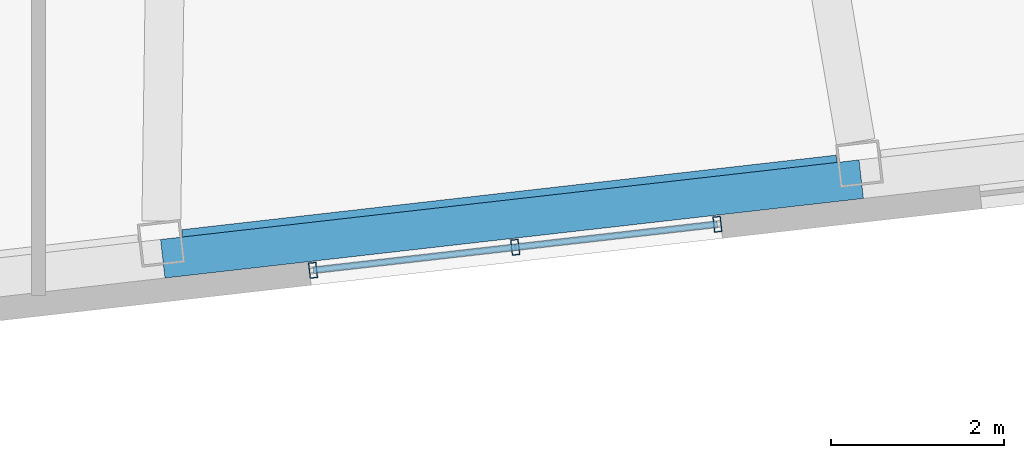
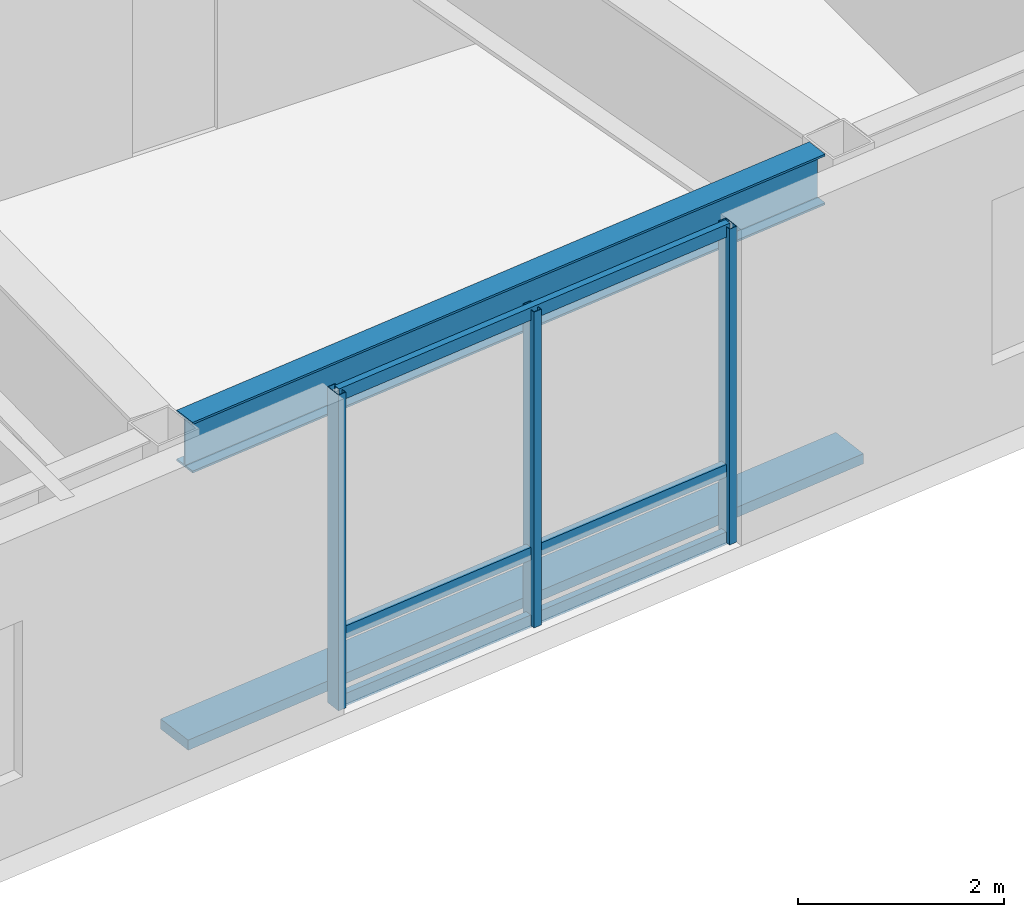
# One storey, part 5 of 18: 7 members, 1 beam, 1 element without a shape of its own.
"""IFC4 building model written with IfcOpenShell, lengths in metres."""

from ifc_helpers import new_model, si_unit, direction, frame, origin, origin_2d, place, context, subcontext, project, spatial, rectangle, hollow_rectangle, i_section, extrude, material, layer, layer_set, material_profile, profile_set, type_object, element, aggregate, save


model = new_model("IFC4")

# Units and contexts
model_context = context("Model", 3, precision=1e-05, world=origin(), true_north=direction((0.0, 1.0)))
body_context = subcontext(model_context, "Body", "Model", "MODEL_VIEW")
ifc_project = project(units=[si_unit("LENGTHUNIT", "METRE"), si_unit("AREAUNIT", "SQUARE_METRE"), si_unit("VOLUMEUNIT", "CUBIC_METRE"), si_unit("PLANEANGLEUNIT", "RADIAN"), si_unit("MASSUNIT", "GRAM", prefix="KILO")], contexts=[model_context])

# Site, building, storey
site_placement = place(None, origin())
site = spatial("IfcSite", under=ifc_project, at=site_placement, CompositionType="ELEMENT")
building_placement = place(site_placement, origin())
building = spatial("IfcBuilding", under=site, at=building_placement, Name="Tavrogorsk Clinical Tower", CompositionType="ELEMENT")
storey_placement = place(building_placement, frame((0.0, 0.0, 222.199951171875)))
storey = spatial("IfcBuildingStorey", under=building, at=storey_placement, Name="L51", CompositionType="ELEMENT", Elevation=222.199951171875)

# Member
ifc_material_1 = material(Name="Anodised aluminium alloy AW-6063", Category="aluminium")
ifc_material_profile_1 = material_profile(ifc_material_1, rectangle(XDim=0.449951171875, YDim=0.1201171875, at=origin_2d()), Name="ALU-SUNSHADE-450x120")
ifc_profile_set_1 = profile_set([ifc_material_profile_1], Name="Anodised aluminium alloy AW-6063")
member_type_1 = type_object("IfcMemberType", Name="ChicagoSunshade_450x120", PredefinedType="USERDEFINED", material=ifc_profile_set_1)
member_1_placement = place(storey_placement, frame((4.240478515625, -19.29150390625, 0.179931640625), z_axis=(0.9935729766, 0.113193375116, 0.0), x_axis=(-0.113193375116, 0.9935729766, 0.0)))
element("IfcMember", 1, at=member_1_placement, inside=storey, type_object=member_type_1, Name="L51 South Aluminium Sunshade S5", ObjectType="SUNSHADE", PredefinedType="USERDEFINED", context=body_context, shape_type="SweptSolid", body=[
    extrude(rectangle(XDim=0.449951171875, YDim=0.1201171875, at=origin_2d()), origin(), (0.0, 0.0, 1.0), 8.148681640625),
])

# Curtain wall, members
ifc_material_2 = material(Name="Anodised aluminium and triple IGU glazing", Category="aluminium")
ifc_layer = layer(ifc_material_2, 0.179931640625)
ifc_layer_set = layer_set([ifc_layer], Name="Anodised aluminium and triple IGU glazing")
curtain_wall_type = type_object("IfcCurtainWallType", Name="CW3_SouthSlot", PredefinedType="NOTDEFINED", material=ifc_layer_set)
curtain_wall_placement = place(storey_placement, origin())
curtain_wall = element("IfcCurtainWall", 2, at=curtain_wall_placement, inside=storey, type_object=curtain_wall_type, Name="L51 Curtain Wall CW-L51-S-SLOT-2", PredefinedType="NOTDEFINED")
ifc_material_3 = material(Name="Anodised aluminium alloy AW-6060", Category="aluminium")
ifc_material_profile_2 = material_profile(ifc_material_3, hollow_rectangle(XDim=0.090087890625, YDim=0.179931640625, WallThickness=0.00634765625, at=origin_2d()), Name="RHS-180x90x6.3")
ifc_profile_set_2 = profile_set([ifc_material_profile_2], Name="Anodised aluminium alloy AW-6060")
member_type_2 = type_object("IfcMemberType", Name="CwMullion_180x90", PredefinedType="MULLION", material=ifc_profile_set_2)
member_2_placement = place(storey_placement, frame((5.982177734375, -19.42529296875, 0.0), z_axis=(0.0, 0.0, 1.0), x_axis=(0.993571855603, 0.11320321441, 0.0)))
member_2 = element("IfcMember", 3, at=member_2_placement, type_object=member_type_2, Name="CW-L51-S-SLOT-2 Mullion 1", PredefinedType="MULLION", context=body_context, shape_type="SweptSolid", body=[
    extrude(hollow_rectangle(XDim=0.090087890625, YDim=0.179931640625, WallThickness=0.00634765625, at=origin_2d()), origin(), (0.0, 0.0, 1.0), 3.739990234375),
])
member_3_placement = place(storey_placement, frame((8.325927734375, -19.158203125, 0.0), z_axis=(0.0, 0.0, 1.0), x_axis=(0.993571855603, 0.11320321441, 0.0)))
member_3 = element("IfcMember", 4, at=member_3_placement, type_object=member_type_2, Name="CW-L51-S-SLOT-2 Mullion 2", PredefinedType="MULLION", context=body_context, shape_type="SweptSolid", body=[
    extrude(hollow_rectangle(XDim=0.090087890625, YDim=0.179931640625, WallThickness=0.00634765625, at=origin_2d()), origin(), (0.0, 0.0, 1.0), 3.739990234375),
])
member_4_placement = place(storey_placement, frame((10.669677734375, -18.89111328125, 0.0), z_axis=(0.0, 0.0, 1.0), x_axis=(0.993571855603, 0.11320321441, 0.0)))
member_4 = element("IfcMember", 5, at=member_4_placement, type_object=member_type_2, Name="CW-L51-S-SLOT-2 Mullion 3", PredefinedType="MULLION", context=body_context, shape_type="SweptSolid", body=[
    extrude(hollow_rectangle(XDim=0.090087890625, YDim=0.179931640625, WallThickness=0.00634765625, at=origin_2d()), origin(), (0.0, 0.0, 1.0), 3.739990234375),
])
ifc_material_4 = material(Name="Anodised aluminium alloy AW-6060", Category="aluminium")
ifc_material_profile_3 = material_profile(ifc_material_4, hollow_rectangle(XDim=0.074951171875, YDim=0.14990234375, WallThickness=0.0048828125, at=origin_2d()), Name="RHS-150x75x5")
ifc_profile_set_3 = profile_set([ifc_material_profile_3], Name="Anodised aluminium alloy AW-6060")
member_type_3 = type_object("IfcMemberType", Name="CwTransom_150x75", PredefinedType="USERDEFINED", material=ifc_profile_set_3)
member_5_placement = place(storey_placement, frame((5.982177734375, -19.42529296875, 0.050048828125), z_axis=(0.993569315854, 0.113225503286, 0.0), x_axis=(-0.113225503286, 0.993569315854, 0.0)))
member_5 = element("IfcMember", 6, at=member_5_placement, type_object=member_type_3, Name="CW-L51-S-SLOT-2 Transom 1", ObjectType="TRANSOM", PredefinedType="USERDEFINED", context=body_context, shape_type="SweptSolid", body=[
    extrude(hollow_rectangle(XDim=0.074951171875, YDim=0.14990234375, WallThickness=0.0048828125, at=origin_2d()), origin(), (0.0, 0.0, 1.0), 4.7177734375),
])
member_6_placement = place(storey_placement, frame((5.982177734375, -19.42529296875, 0.85009765625), z_axis=(0.993569315854, 0.113225503286, 0.0), x_axis=(-0.113225503286, 0.993569315854, 0.0)))
member_6 = element("IfcMember", 7, at=member_6_placement, type_object=member_type_3, Name="CW-L51-S-SLOT-2 Transom 2", ObjectType="TRANSOM", PredefinedType="USERDEFINED", context=body_context, shape_type="SweptSolid", body=[
    extrude(hollow_rectangle(XDim=0.074951171875, YDim=0.14990234375, WallThickness=0.0048828125, at=origin_2d()), origin(), (0.0, 0.0, 1.0), 4.7177734375),
])
member_7_placement = place(storey_placement, frame((5.982177734375, -19.42529296875, 3.68994140625), z_axis=(0.993569315854, 0.113225503286, 0.0), x_axis=(-0.113225503286, 0.993569315854, 0.0)))
member_7 = element("IfcMember", 8, at=member_7_placement, type_object=member_type_3, Name="CW-L51-S-SLOT-2 Transom 3", ObjectType="TRANSOM", PredefinedType="USERDEFINED", context=body_context, shape_type="SweptSolid", body=[
    extrude(hollow_rectangle(XDim=0.074951171875, YDim=0.14990234375, WallThickness=0.0048828125, at=origin_2d()), origin(), (0.0, 0.0, 1.0), 4.7177734375),
])
aggregate(curtain_wall, [member_2, member_3, member_4, member_5, member_6, member_7])

# Beam
ifc_material_5 = material(Name="Structural steel S390", Category="steel")
ifc_material_profile_4 = material_profile(ifc_material_5, i_section(OverallWidth=0.260009765625, OverallDepth=0.60009765625, WebThickness=0.014892578125, FlangeThickness=0.02392578125, at=origin_2d()), Name="B-600x260x15x24")
ifc_profile_set_4 = profile_set([ifc_material_profile_4], Name="Structural steel S390")
beam_type = type_object("IfcBeamType", Name="SpandrelBeam_B600", PredefinedType="SPANDREL", material=ifc_profile_set_4)
beam_placement = place(storey_placement, frame((4.476318359375, -19.08349609375, 3.43994140625), z_axis=(0.993572509708, 0.113197473259, 0.0), x_axis=(-0.113197473259, 0.993572509708, 0.0)))
element("IfcBeam", 9, at=beam_placement, inside=storey, type_object=beam_type, Name="L51 Perimeter Spandrel S5-S6", PredefinedType="SPANDREL", context=body_context, shape_type="SweptSolid", body=[
    extrude(i_section(OverallWidth=0.260009765625, OverallDepth=0.60009765625, WebThickness=0.014892578125, FlangeThickness=0.02392578125, at=origin_2d()), origin(), (0.0, 0.0, 1.0), 7.6328125),
])

save(model, "model.ifc")
